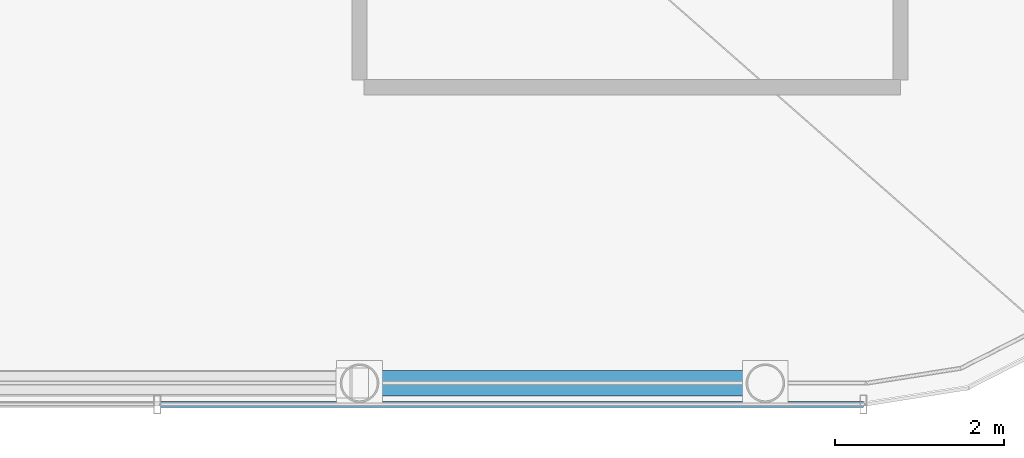
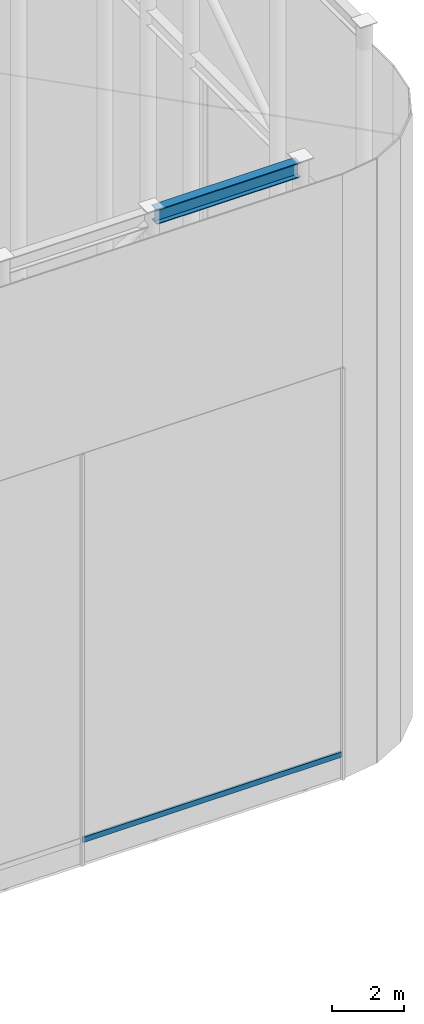
# One storey, part 17 of 42: 1 beam, 1 member, 1 element without a shape of its own.
"""IFC4 building model written with IfcOpenShell, lengths in metres."""

from ifc_helpers import new_model, si_unit, direction, frame, origin, origin_2d, place, context, subcontext, project, spatial, hollow_rectangle, i_section, extrude, material, layer, layer_set, material_profile, profile_set, type_object, element, aggregate, save


model = new_model("IFC4")

# Units and contexts
model_context = context("Model", 3, precision=1e-05, world=origin(), true_north=direction((0.0, 1.0)))
body_context = subcontext(model_context, "Body", "Model", "MODEL_VIEW")
ifc_project = project(units=[si_unit("LENGTHUNIT", "METRE"), si_unit("AREAUNIT", "SQUARE_METRE"), si_unit("VOLUMEUNIT", "CUBIC_METRE"), si_unit("PLANEANGLEUNIT", "RADIAN"), si_unit("MASSUNIT", "GRAM", prefix="KILO")], contexts=[model_context])

# Site, building, storey
site_placement = place(None, origin())
site = spatial("IfcSite", under=ifc_project, at=site_placement, CompositionType="ELEMENT")
building_placement = place(site_placement, origin())
building = spatial("IfcBuilding", under=site, at=building_placement, Name="Kallvorn Hotel Tower", CompositionType="ELEMENT")
storey_placement = place(building_placement, frame((0.0, 0.0, 306.0)))
storey = spatial("IfcBuildingStorey", under=building, at=storey_placement, Name="ROOF", CompositionType="ELEMENT", Elevation=306.0)

# Beam
ifc_material_1 = material(Name="Structural steel S355JR", Category="steel")
ifc_material_profile_1 = material_profile(ifc_material_1, i_section(OverallWidth=0.300048828125, OverallDepth=0.5, WebThickness=0.014404296875, FlangeThickness=0.028076171875, at=origin_2d()), Name="HE 500 B")
ifc_profile_set_1 = profile_set([ifc_material_profile_1], Name="Structural steel S355JR")
beam_type = type_object("IfcBeamType", Name="BM_HE500B", PredefinedType="SPANDREL", material=ifc_profile_set_1)
beam_placement = place(storey_placement, frame((14.5, -24.0, 21.030029296875), z_axis=(1.0, 0.0, 0.0), x_axis=(0.0, 1.0, 0.0)))
element("IfcBeam", 1, at=beam_placement, inside=storey, type_object=beam_type, Name="CROWN FRAME Top Ring Beam 09", PredefinedType="SPANDREL", context=body_context, shape_type="SweptSolid", body=[
    extrude(i_section(OverallWidth=0.300048828125, OverallDepth=0.5, WebThickness=0.014404296875, FlangeThickness=0.028076171875, at=origin_2d()), origin(), (0.0, 0.0, 1.0), 4.60009765625),
])

# Curtain wall, member
ifc_material_2 = material(Name="Thermally broken black-anodised aluminium AA 6063-T6", Category="aluminium")
ifc_layer = layer(ifc_material_2, 0.18994140625)
ifc_layer_set = layer_set([ifc_layer], Name="CW_SYS_7_CROWN_DRUM")
curtain_wall_type = type_object("IfcCurtainWallType", Name="CW_SYS_7_CROWN_DRUM", PredefinedType="USERDEFINED", material=ifc_layer_set)
curtain_wall_placement = place(storey_placement, origin())
curtain_wall = element("IfcCurtainWall", 2, at=curtain_wall_placement, inside=storey, type_object=curtain_wall_type, Name="ROOF Dark-Glass Curtain Wall CW-ROOF-S2", ObjectType="UNITISED CURTAIN WALL", PredefinedType="USERDEFINED")
ifc_material_3 = material(Name="Thermally broken black-anodised aluminium AA 6063-T6", Category="aluminium")
ifc_material_profile_2 = material_profile(ifc_material_3, hollow_rectangle(XDim=0.070068359375, YDim=0.179931640625, WallThickness=0.00390625, at=origin_2d()), Name="TRN 180x70")
ifc_profile_set_2 = profile_set([ifc_material_profile_2], Name="Thermally broken black-anodised aluminium AA 6063-T6")
member_type = type_object("IfcMemberType", Name="CW_TRANSOM_180x70", PredefinedType="USERDEFINED", material=ifc_profile_set_2)
member_placement = place(storey_placement, frame((12.046630859375, -24.25, 0.85009765625), z_axis=(1.0, 0.0, 0.0), x_axis=(0.0, 1.0, 0.0)))
member = element("IfcMember", 3, at=member_placement, type_object=member_type, Name="CW-ROOF-S2 Transom 02M", ObjectType="TRANSOM", PredefinedType="USERDEFINED", context=body_context, shape_type="SweptSolid", body=[
    extrude(hollow_rectangle(XDim=0.070068359375, YDim=0.179931640625, WallThickness=0.00390625, at=origin_2d()), origin(), (0.0, 0.0, 1.0), 8.3134765625),
])
aggregate(curtain_wall, [member])

save(model, "model.ifc")
